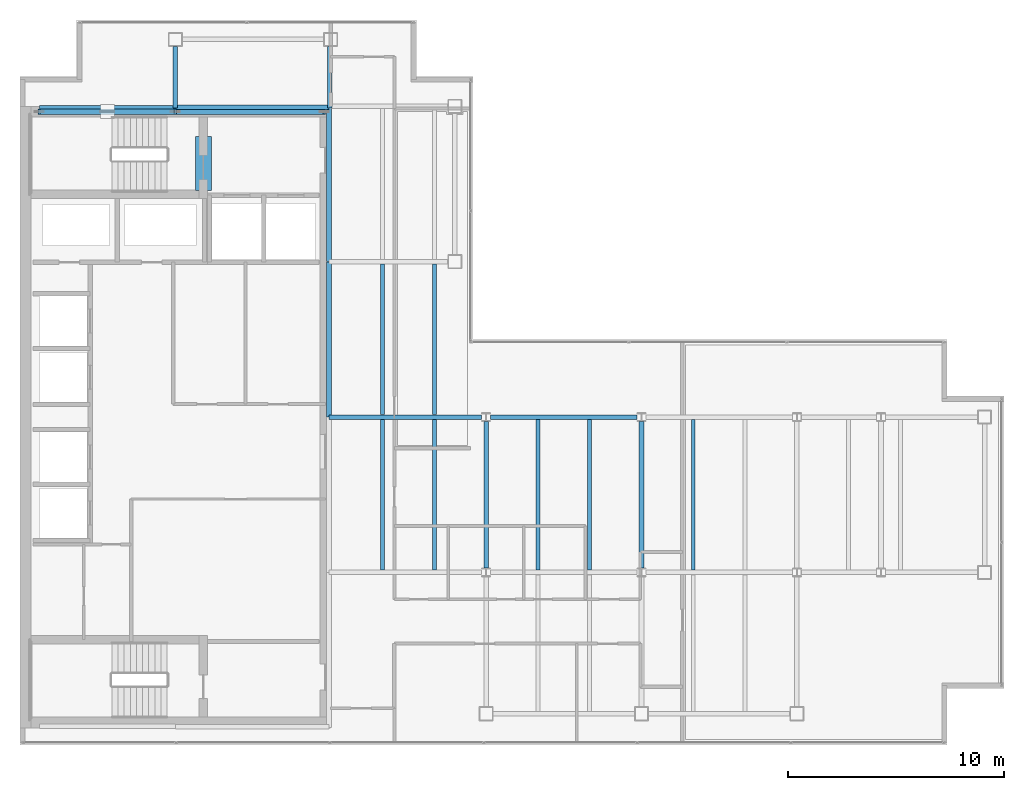
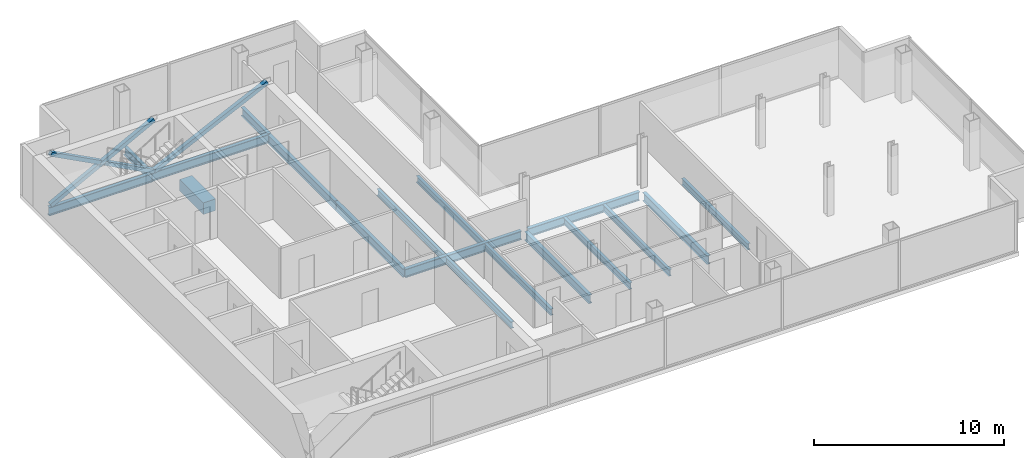
# One storey, part 7 of 23: 18 beams, 4 members.
"""IFC4 building model written with IfcOpenShell, lengths in metres."""

from ifc_helpers import new_model, si_unit, direction, frame, origin, origin_2d, place, context, subcontext, project, spatial, rectangle, hollow_rectangle, i_section, extrude, material, material_profile, profile_set, type_object, element, save


model = new_model("IFC4")

# Units and contexts
model_context = context("Model", 3, precision=1e-05, world=origin(), true_north=direction((0.0, 1.0)))
body_context = subcontext(model_context, "Body", "Model", "MODEL_VIEW")
ifc_project = project(units=[si_unit("LENGTHUNIT", "METRE"), si_unit("AREAUNIT", "SQUARE_METRE"), si_unit("VOLUMEUNIT", "CUBIC_METRE"), si_unit("PLANEANGLEUNIT", "RADIAN"), si_unit("MASSUNIT", "GRAM", prefix="KILO")], contexts=[model_context])

# Site, building, storey
site_placement = place(None, origin())
site = spatial("IfcSite", under=ifc_project, at=site_placement, CompositionType="ELEMENT")
building_placement = place(site_placement, origin())
building = spatial("IfcBuilding", under=site, at=building_placement, Name="Cobrela Telecom Tower", CompositionType="ELEMENT")
storey_placement = place(building_placement, frame((0.0, 0.0, 272.64990234375)))
storey = spatial("IfcBuildingStorey", under=building, at=storey_placement, Name="L71", CompositionType="ELEMENT", Elevation=272.64990234375)

# Beams
ifc_material_1 = material(Name="Concrete C40/50", Category="concrete")
ifc_material_profile_1 = material_profile(ifc_material_1, rectangle(XDim=0.75, YDim=0.75, at=origin_2d()), Name="RC 750x750")
ifc_profile_set_1 = profile_set([ifc_material_profile_1], Name="Concrete C40/50")
beam_type_1 = type_object("IfcBeamType", Name="BM-COUP-RC", PredefinedType="LINTEL", material=ifc_profile_set_1)
beam_1_placement = place(storey_placement, frame((8.5, 32.10009765625, -0.60986328125), z_axis=(0.0, 1.0, 0.0), x_axis=(-1.0, 0.0, 0.0)))
element("IfcBeam", 1, at=beam_1_placement, inside=storey, type_object=beam_type_1, Name="L71 Core Coupling Lintel Beam", PredefinedType="LINTEL", context=body_context, shape_type="SweptSolid", body=[
    extrude(rectangle(XDim=0.75, YDim=0.75, at=origin_2d()), origin(), (0.0, 0.0, 1.0), 2.5),
])
ifc_material_2 = material(Name="Steel ASTM A992 Grade 50", Category="steel")
ifc_material_profile_2 = material_profile(ifc_material_2, i_section(OverallWidth=0.212890625, OverallDepth=0.549072265625, WebThickness=0.0146484375, FlangeThickness=0.023681640625, FilletRadius=0.013916015625, at=origin_2d()), Name="W21X93")
ifc_profile_set_2 = profile_set([ifc_material_profile_2], Name="Steel ASTM A992 Grade 50")
beam_type_2 = type_object("IfcBeamType", Name="BM-GIRD-08", PredefinedType="USERDEFINED", material=ifc_profile_set_2)
beam_2_placement = place(storey_placement, frame((14.324951171875, 21.60009765625, -0.534423828125), z_axis=(1.0, 0.0, 0.0), x_axis=(0.0, 1.0, 0.0)))
element("IfcBeam", 2, at=beam_2_placement, inside=storey, type_object=beam_type_2, Name="L71 Primary Girder X10", ObjectType="GIRDER", PredefinedType="USERDEFINED", context=body_context, shape_type="SweptSolid", body=[
    extrude(i_section(OverallWidth=0.212890625, OverallDepth=0.549072265625, WebThickness=0.0146484375, FlangeThickness=0.023681640625, FilletRadius=0.013916015625, at=origin_2d()), origin(), (0.0, 0.0, 1.0), 7.070556640625),
])
beam_3_placement = place(storey_placement, frame((21.804443359375, 21.60009765625, -0.534423828125), z_axis=(1.0, 0.0, 0.0), x_axis=(0.0, 1.0, 0.0)))
element("IfcBeam", 3, at=beam_3_placement, inside=storey, type_object=beam_type_2, Name="L71 Primary Girder X11", ObjectType="GIRDER", PredefinedType="USERDEFINED", context=body_context, shape_type="SweptSolid", body=[
    extrude(i_section(OverallWidth=0.212890625, OverallDepth=0.549072265625, WebThickness=0.0146484375, FlangeThickness=0.023681640625, FilletRadius=0.013916015625, at=origin_2d()), origin(), (0.0, 0.0, 1.0), 6.791015625),
])
beam_4_placement = place(storey_placement, frame((0.905029296875, 35.919921875, -0.534423828125), z_axis=(1.0, 0.0, 0.0), x_axis=(0.0, 1.0, 0.0)))
element("IfcBeam", 4, at=beam_4_placement, inside=storey, type_object=beam_type_2, Name="L71 Primary Girder X16", ObjectType="GIRDER", PredefinedType="USERDEFINED", context=body_context, shape_type="SweptSolid", body=[
    extrude(i_section(OverallWidth=0.212890625, OverallDepth=0.549072265625, WebThickness=0.0146484375, FlangeThickness=0.023681640625, FilletRadius=0.013916015625, at=origin_2d()), origin(), (0.0, 0.0, 1.0), 6.2900390625),
])
beam_5_placement = place(storey_placement, frame((7.205078125, 35.9599609375, -0.534423828125), z_axis=(1.0, 0.0, 0.0), x_axis=(0.0, 1.0, 0.0)))
element("IfcBeam", 5, at=beam_5_placement, inside=storey, type_object=beam_type_2, Name="L71 Primary Girder X17", ObjectType="GIRDER", PredefinedType="USERDEFINED", context=body_context, shape_type="SweptSolid", body=[
    extrude(i_section(OverallWidth=0.212890625, OverallDepth=0.549072265625, WebThickness=0.0146484375, FlangeThickness=0.023681640625, FilletRadius=0.013916015625, at=origin_2d()), origin(), (0.0, 0.0, 1.0), 7.10986328125),
])
beam_6_placement = place(storey_placement, frame((7.199951171875, 35.925048828125, -0.534423828125), z_axis=(0.0, 1.0, 0.0), x_axis=(-1.0, 0.0, 0.0)))
element("IfcBeam", 6, at=beam_6_placement, inside=storey, type_object=beam_type_2, Name="L71 Primary Girder Y20", ObjectType="GIRDER", PredefinedType="USERDEFINED", context=body_context, shape_type="SweptSolid", body=[
    extrude(i_section(OverallWidth=0.212890625, OverallDepth=0.549072265625, WebThickness=0.0146484375, FlangeThickness=0.023681640625, FilletRadius=0.013916015625, at=origin_2d()), origin(), (0.0, 0.0, 1.0), 2.844970703125),
])
beam_7_placement = place(storey_placement, frame((14.320068359375, 21.60498046875, -0.534423828125), z_axis=(0.0, 1.0, 0.0), x_axis=(-1.0, 0.0, 0.0)))
element("IfcBeam", 7, at=beam_7_placement, inside=storey, type_object=beam_type_2, Name="L71 Primary Girder Y23", ObjectType="GIRDER", PredefinedType="USERDEFINED", context=body_context, shape_type="SweptSolid", body=[
    extrude(i_section(OverallWidth=0.212890625, OverallDepth=0.549072265625, WebThickness=0.0146484375, FlangeThickness=0.023681640625, FilletRadius=0.013916015625, at=origin_2d()), origin(), (0.0, 0.0, 1.0), 7.18994140625),
])
beam_8_placement = place(storey_placement, frame((14.320068359375, 28.804931640625, -0.534423828125), z_axis=(0.0, 1.0, 0.0), x_axis=(-1.0, 0.0, 0.0)))
element("IfcBeam", 8, at=beam_8_placement, inside=storey, type_object=beam_type_2, Name="L71 Primary Girder Y24", ObjectType="GIRDER", PredefinedType="USERDEFINED", context=body_context, shape_type="SweptSolid", body=[
    extrude(i_section(OverallWidth=0.212890625, OverallDepth=0.549072265625, WebThickness=0.0146484375, FlangeThickness=0.023681640625, FilletRadius=0.013916015625, at=origin_2d()), origin(), (0.0, 0.0, 1.0), 7.110107421875),
])
beam_9_placement = place(storey_placement, frame((14.360107421875, 35.925048828125, -0.534423828125), z_axis=(0.0, 1.0, 0.0), x_axis=(-1.0, 0.0, 0.0)))
element("IfcBeam", 9, at=beam_9_placement, inside=storey, type_object=beam_type_2, Name="L71 Primary Girder Y25", ObjectType="GIRDER", PredefinedType="USERDEFINED", context=body_context, shape_type="SweptSolid", body=[
    extrude(i_section(OverallWidth=0.212890625, OverallDepth=0.549072265625, WebThickness=0.0146484375, FlangeThickness=0.023681640625, FilletRadius=0.013916015625, at=origin_2d()), origin(), (0.0, 0.0, 1.0), 2.844970703125),
])
for number, where, z_axis, x_axis, name in (
    (10, (21.60009765625, 14.6044921875, -0.534423828125), (0.0, 1.0, 0.0), (-1.0, 0.0, 0.0), "L71 Primary Girder Y28"),
    (11, (28.800048828125, 14.6044921875, -0.534423828125), (0.0, 1.0, 0.0), (-1.0, 0.0, 0.0), "L71 Primary Girder Y30"),
):
    element("IfcBeam", number, at=place(storey_placement, frame(where, z_axis=z_axis, x_axis=x_axis)), inside=storey, type_object=beam_type_2, Name=name, ObjectType="GIRDER", PredefinedType="USERDEFINED", context=body_context, shape_type="SweptSolid", body=[
        extrude(i_section(OverallWidth=0.212890625, OverallDepth=0.549072265625, WebThickness=0.0146484375, FlangeThickness=0.023681640625, FilletRadius=0.013916015625, at=origin_2d()), origin(), (0.0, 0.0, 1.0), 6.791015625),
    ])
ifc_material_profile_3 = material_profile(ifc_material_2, i_section(OverallWidth=0.179931640625, OverallDepth=0.4169921875, WebThickness=0.010986328125, FlangeThickness=0.01806640625, FilletRadius=0.011962890625, at=origin_2d()), Name="W16X57")
ifc_profile_set_3 = profile_set([ifc_material_profile_3], Name="Steel ASTM A992 Grade 50")
beam_type_3 = type_object("IfcBeamType", Name="BM-JOIST-04", PredefinedType="JOIST", material=ifc_profile_set_3)
for number, where, z_axis, x_axis, name in (
    (12, (16.800048828125, 14.511474609375, -0.468505859375), (0.0, 1.0, 0.0), (-1.0, 0.0, 0.0), "L71 Secondary Composite Floor Beam J01"),
    (13, (16.800048828125, 21.71142578125, -0.468505859375), (0.0, 1.0, 0.0), (-1.0, 0.0, 0.0), "L71 Secondary Composite Floor Beam J02"),
    (14, (19.199951171875, 14.511474609375, -0.468505859375), (0.0, 1.0, 0.0), (-1.0, 0.0, 0.0), "L71 Secondary Composite Floor Beam J04"),
    (15, (19.199951171875, 21.71142578125, -0.468505859375), (0.0, 1.0, 0.0), (-1.0, 0.0, 0.0), "L71 Secondary Composite Floor Beam J05"),
    (16, (24.0, 14.511474609375, -0.468505859375), (0.0, 1.0, 0.0), (-1.0, 0.0, 0.0), "L71 Secondary Composite Floor Beam J08"),
    (17, (26.39990234375, 14.511474609375, -0.468505859375), (0.0, 1.0, 0.0), (-1.0, 0.0, 0.0), "L71 Secondary Composite Floor Beam J10"),
    (18, (31.199951171875, 14.511474609375, -0.468505859375), (0.0, 1.0, 0.0), (-1.0, 0.0, 0.0), "L71 Secondary Composite Floor Beam J12"),
):
    element("IfcBeam", number, at=place(storey_placement, frame(where, z_axis=z_axis, x_axis=x_axis)), inside=storey, type_object=beam_type_3, Name=name, PredefinedType="JOIST", context=body_context, shape_type="SweptSolid", body=[
        extrude(i_section(OverallWidth=0.179931640625, OverallDepth=0.4169921875, WebThickness=0.010986328125, FlangeThickness=0.01806640625, FilletRadius=0.011962890625, at=origin_2d()), origin(), (0.0, 0.0, 1.0), 6.97705078125),
    ])

# Members
ifc_material_3 = material(Name="Steel ASTM A572 Grade 50", Category="steel")
ifc_material_profile_4 = material_profile(ifc_material_3, hollow_rectangle(XDim=0.25, YDim=0.25, WallThickness=0.013916015625, at=origin_2d()), Name="HSS 250x250x14")
ifc_profile_set_4 = profile_set([ifc_material_profile_4], Name="Steel ASTM A572 Grade 50")
member_type = type_object("IfcMemberType", Name="MBR-EXO-04", PredefinedType="BRACE", material=ifc_profile_set_4)
member_1_placement = place(storey_placement, frame((0.89990234375, 35.75, -0.039794921875), z_axis=(0.884686085315, 0.0, 0.466187226821), x_axis=(0.0, 1.0, 0.0)))
element("IfcMember", 19, at=member_1_placement, inside=storey, type_object=member_type, Name="L71 Core Flange Steel X-Brace Continuous A", PredefinedType="BRACE", context=body_context, shape_type="SweptSolid", body=[
    extrude(hollow_rectangle(XDim=0.25, YDim=0.25, WallThickness=0.013916015625, at=origin_2d()), origin(), (0.0, 0.0, 1.0), 7.121337890625),
])
member_2_placement = place(storey_placement, frame((7.199951171875, 35.75, -0.039794921875), z_axis=(-0.884702916743, 0.0, 0.466155284328), x_axis=(0.0, -1.0, 0.0)))
element("IfcMember", 20, at=member_2_placement, inside=storey, type_object=member_type, Name="L71 Core Flange Steel X-Brace Split B1", PredefinedType="BRACE", context=body_context, shape_type="SweptSolid", body=[
    extrude(hollow_rectangle(XDim=0.25, YDim=0.25, WallThickness=0.013916015625, at=origin_2d()), origin(), (0.0, 0.0, 1.0), 3.42041015625),
])
member_3_placement = place(storey_placement, frame((3.926025390625, 35.75, 1.685302734375), z_axis=(-0.884673479945, 0.0, 0.466211147317), x_axis=(0.0, -1.0, 0.0)))
element("IfcMember", 21, at=member_3_placement, inside=storey, type_object=member_type, Name="L71 Core Flange Steel X-Brace Split B2", PredefinedType="BRACE", context=body_context, shape_type="SweptSolid", body=[
    extrude(hollow_rectangle(XDim=0.25, YDim=0.25, WallThickness=0.013916015625, at=origin_2d()), origin(), (0.0, 0.0, 1.0), 3.420654296875),
])
member_4_placement = place(storey_placement, frame((7.199951171875, 35.75, -0.039794921875), z_axis=(0.901127639633, 0.0, 0.433553891793), x_axis=(0.0, 1.0, 0.0)))
element("IfcMember", 22, at=member_4_placement, inside=storey, type_object=member_type, Name="L71 Core Flange Steel Brace N2", PredefinedType="BRACE", context=body_context, shape_type="SweptSolid", body=[
    extrude(hollow_rectangle(XDim=0.25, YDim=0.25, WallThickness=0.013916015625, at=origin_2d()), origin(), (0.0, 0.0, 1.0), 7.6572265625),
])

save(model, "model.ifc")
